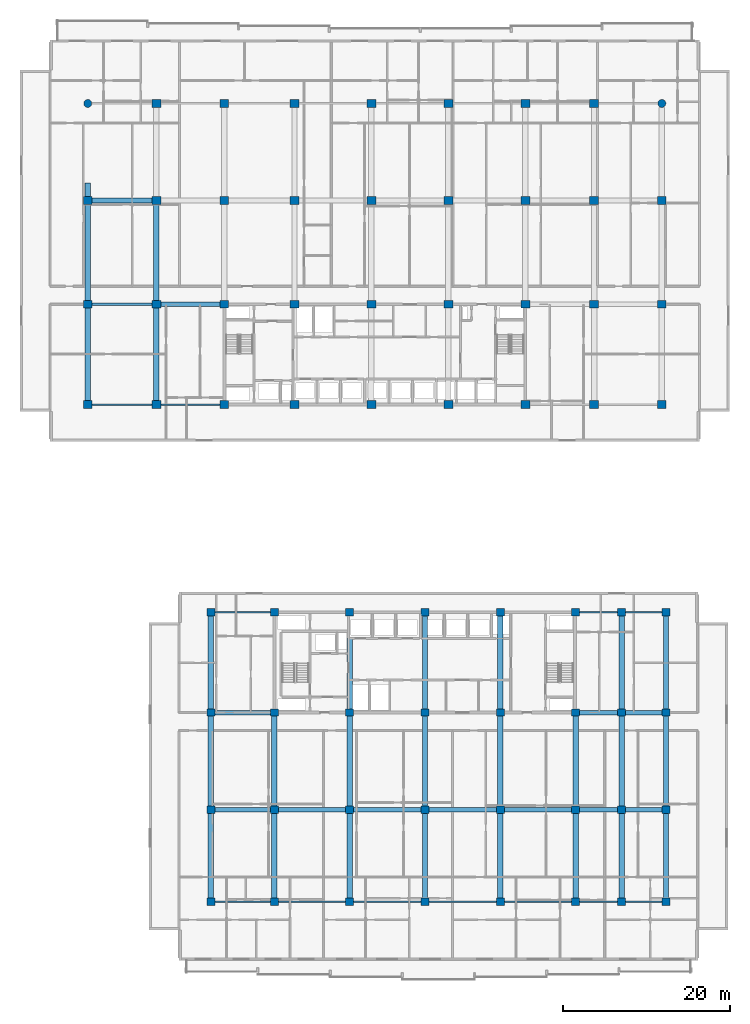
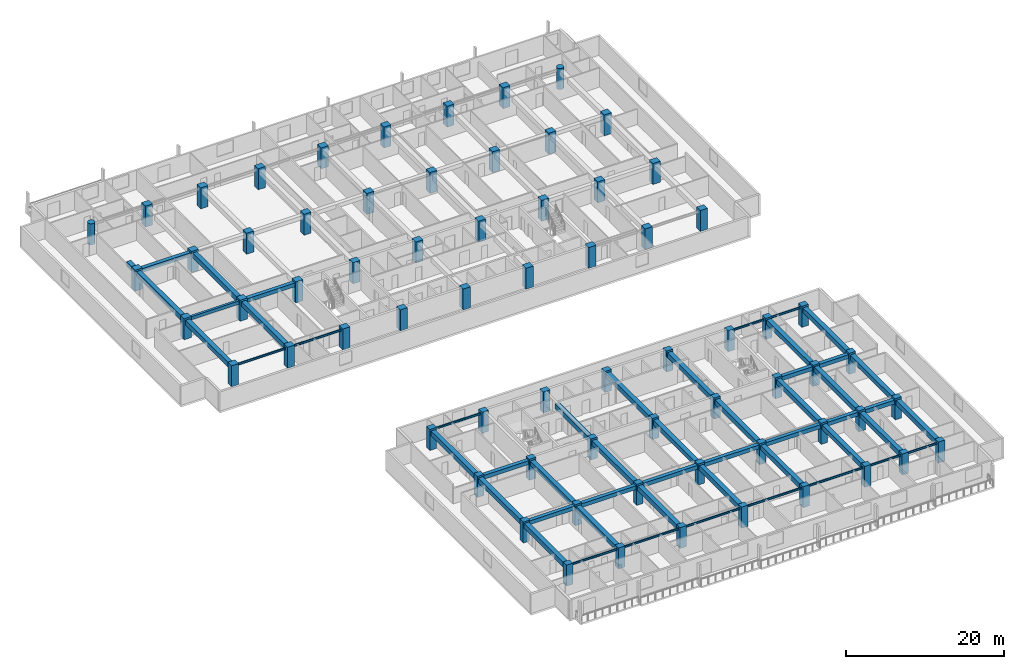
# One storey, part 1 of 24: 68 columns, 52 beams.
"""IFC4 building model written with IfcOpenShell, lengths in metres."""

from ifc_helpers import new_model, si_unit, direction, frame, origin, origin_2d, place, context, subcontext, project, spatial, rectangle, circle, i_section, extrude, material, material_profile, profile_set, type_object, element, save


model = new_model("IFC4")

# Units and contexts
model_context = context("Model", 3, precision=1e-05, world=origin(), true_north=direction((0.0, 1.0)))
body_context = subcontext(model_context, "Body", "Model", "MODEL_VIEW")
ifc_project = project(units=[si_unit("LENGTHUNIT", "METRE"), si_unit("AREAUNIT", "SQUARE_METRE"), si_unit("VOLUMEUNIT", "CUBIC_METRE"), si_unit("PLANEANGLEUNIT", "RADIAN"), si_unit("MASSUNIT", "GRAM", prefix="KILO")], contexts=[model_context])

# Site, building, storey
site_placement = place(None, origin())
site = spatial("IfcSite", under=ifc_project, at=site_placement, CompositionType="ELEMENT")
building_placement = place(site_placement, origin())
building = spatial("IfcBuilding", under=site, at=building_placement, Name="Korimba Cascade Residences", CompositionType="ELEMENT")
storey_placement = place(building_placement, frame((0.0, 0.0, 43.5)))
storey = spatial("IfcBuildingStorey", under=building, at=storey_placement, Name="L11", CompositionType="ELEMENT", Elevation=43.5)

# Columns
ifc_material_1 = material(Name="Concrete C80/95", Category="concrete")
ifc_material_profile_1 = material_profile(ifc_material_1, rectangle(XDim=1.050048828125, YDim=0.949951171875, at=origin_2d()), Name="Concrete C80/95")
ifc_profile_set_1 = profile_set([ifc_material_profile_1], Name="Concrete C80/95")
column_type_1 = type_object("IfcColumnType", Name="COL-RC-1050", PredefinedType="COLUMN", material=ifc_profile_set_1)
for number, where, z_axis, x_axis, name in (
    (1, (59.800048828125, 55.199951171875, 0.0), (0.0, 0.0, 1.0), (1.0, 0.0, 0.0), "L11 Tower 1 Column 1.1"),
    (2, (59.800048828125, 67.199951171875, 0.0), (0.0, 0.0, 1.0), (1.0, 0.0, 0.0), "L11 Tower 1 Column 1.2"),
    (3, (59.800048828125, 79.60009765625, 0.0), (0.0, 0.0, 1.0), (1.0, 0.0, 0.0), "L11 Tower 1 Column 1.3"),
    (4, (68.0, 55.199951171875, 0.0), (0.0, 0.0, 1.0), (1.0, 0.0, 0.0), "L11 Tower 1 Column 2.1"),
    (5, (68.0, 67.199951171875, 0.0), (0.0, 0.0, 1.0), (1.0, 0.0, 0.0), "L11 Tower 1 Column 2.2"),
    (6, (68.0, 79.60009765625, 0.0), (0.0, 0.0, 1.0), (1.0, 0.0, 0.0), "L11 Tower 1 Column 2.3"),
    (7, (68.0, 91.199951171875, 0.0), (0.0, 0.0, 1.0), (1.0, 0.0, 0.0), "L11 Tower 1 Column 2.4"),
    (8, (76.10009765625, 55.199951171875, 0.0), (0.0, 0.0, 1.0), (1.0, 0.0, 0.0), "L11 Tower 1 Column 3.1"),
    (9, (76.10009765625, 67.199951171875, 0.0), (0.0, 0.0, 1.0), (1.0, 0.0, 0.0), "L11 Tower 1 Column 3.2"),
    (10, (76.10009765625, 79.60009765625, 0.0), (0.0, 0.0, 1.0), (1.0, 0.0, 0.0), "L11 Tower 1 Column 3.3"),
    (11, (76.10009765625, 91.199951171875, 0.0), (0.0, 0.0, 1.0), (1.0, 0.0, 0.0), "L11 Tower 1 Column 3.4"),
    (12, (84.5, 55.199951171875, 0.0), (0.0, 0.0, 1.0), (1.0, 0.0, 0.0), "L11 Tower 1 Column 4.1"),
    (13, (84.5, 67.199951171875, 0.0), (0.0, 0.0, 1.0), (1.0, 0.0, 0.0), "L11 Tower 1 Column 4.2"),
    (14, (84.5, 79.60009765625, 0.0), (0.0, 0.0, 1.0), (1.0, 0.0, 0.0), "L11 Tower 1 Column 4.3"),
    (15, (84.5, 91.199951171875, 0.0), (0.0, 0.0, 1.0), (1.0, 0.0, 0.0), "L11 Tower 1 Column 4.4"),
    (16, (93.699951171875, 55.199951171875, 0.0), (0.0, 0.0, 1.0), (1.0, 0.0, 0.0), "L11 Tower 1 Column 5.1"),
    (17, (93.699951171875, 67.199951171875, 0.0), (0.0, 0.0, 1.0), (1.0, 0.0, 0.0), "L11 Tower 1 Column 5.2"),
    (18, (93.699951171875, 79.60009765625, 0.0), (0.0, 0.0, 1.0), (1.0, 0.0, 0.0), "L11 Tower 1 Column 5.3"),
    (19, (93.699951171875, 91.199951171875, 0.0), (0.0, 0.0, 1.0), (1.0, 0.0, 0.0), "L11 Tower 1 Column 5.4"),
    (20, (102.89990234375, 55.199951171875, 0.0), (0.0, 0.0, 1.0), (1.0, 0.0, 0.0), "L11 Tower 1 Column 6.1"),
    (21, (102.89990234375, 67.199951171875, 0.0), (0.0, 0.0, 1.0), (1.0, 0.0, 0.0), "L11 Tower 1 Column 6.2"),
    (22, (102.89990234375, 79.60009765625, 0.0), (0.0, 0.0, 1.0), (1.0, 0.0, 0.0), "L11 Tower 1 Column 6.3"),
    (23, (102.89990234375, 91.199951171875, 0.0), (0.0, 0.0, 1.0), (1.0, 0.0, 0.0), "L11 Tower 1 Column 6.4"),
    (24, (112.10009765625, 55.199951171875, 0.0), (0.0, 0.0, 1.0), (1.0, 0.0, 0.0), "L11 Tower 1 Column 7.1"),
    (25, (112.10009765625, 67.199951171875, 0.0), (0.0, 0.0, 1.0), (1.0, 0.0, 0.0), "L11 Tower 1 Column 7.2"),
    (26, (112.10009765625, 79.60009765625, 0.0), (0.0, 0.0, 1.0), (1.0, 0.0, 0.0), "L11 Tower 1 Column 7.3"),
    (27, (112.10009765625, 91.199951171875, 0.0), (0.0, 0.0, 1.0), (1.0, 0.0, 0.0), "L11 Tower 1 Column 7.4"),
    (28, (120.300048828125, 55.199951171875, 0.0), (0.0, 0.0, 1.0), (1.0, 0.0, 0.0), "L11 Tower 1 Column 8.1"),
    (29, (120.300048828125, 67.199951171875, 0.0), (0.0, 0.0, 1.0), (1.0, 0.0, 0.0), "L11 Tower 1 Column 8.2"),
    (30, (120.300048828125, 79.60009765625, 0.0), (0.0, 0.0, 1.0), (1.0, 0.0, 0.0), "L11 Tower 1 Column 8.3"),
    (31, (120.300048828125, 91.199951171875, 0.0), (0.0, 0.0, 1.0), (1.0, 0.0, 0.0), "L11 Tower 1 Column 8.4"),
    (32, (128.39990234375, 55.199951171875, 0.0), (0.0, 0.0, 1.0), (1.0, 0.0, 0.0), "L11 Tower 1 Column 9.1"),
    (33, (128.39990234375, 67.199951171875, 0.0), (0.0, 0.0, 1.0), (1.0, 0.0, 0.0), "L11 Tower 1 Column 9.2"),
    (34, (128.39990234375, 79.60009765625, 0.0), (0.0, 0.0, 1.0), (1.0, 0.0, 0.0), "L11 Tower 1 Column 9.3"),
):
    element("IfcColumn", number, at=place(storey_placement, frame(where, z_axis=z_axis, x_axis=x_axis)), inside=storey, type_object=column_type_1, Name=name, PredefinedType="COLUMN", context=body_context, shape_type="SweptSolid", body=[
        extrude(rectangle(XDim=1.050048828125, YDim=0.949951171875, at=origin_2d()), origin(), (0.0, 0.0, 1.0), 3.25),
    ])
ifc_material_2 = material(Name="Concrete C65/80", Category="concrete")
ifc_material_profile_2 = material_profile(ifc_material_2, rectangle(XDim=0.949951171875, YDim=0.85009765625, at=origin_2d()), Name="Concrete C65/80")
ifc_profile_set_2 = profile_set([ifc_material_profile_2], Name="Concrete C65/80")
column_type_2 = type_object("IfcColumnType", Name="COL-RC-950", PredefinedType="COLUMN", material=ifc_profile_set_2)
for number, where, z_axis, x_axis, name in (
    (35, (74.5, -4.199951171875, 0.0), (0.0, 0.0, 1.0), (1.0, 0.0, 0.0), "L11 Tower 2 Column 1.1"),
    (36, (74.5, 6.800048828125, 0.0), (0.0, 0.0, 1.0), (1.0, 0.0, 0.0), "L11 Tower 2 Column 1.2"),
    (37, (74.5, 18.39990234375, 0.0), (0.0, 0.0, 1.0), (1.0, 0.0, 0.0), "L11 Tower 2 Column 1.3"),
    (38, (74.5, 30.39990234375, 0.0), (0.0, 0.0, 1.0), (1.0, 0.0, 0.0), "L11 Tower 2 Column 1.4"),
    (39, (82.10009765625, -4.199951171875, 0.0), (0.0, 0.0, 1.0), (1.0, 0.0, 0.0), "L11 Tower 2 Column 2.1"),
    (40, (82.10009765625, 6.800048828125, 0.0), (0.0, 0.0, 1.0), (1.0, 0.0, 0.0), "L11 Tower 2 Column 2.2"),
    (41, (82.10009765625, 18.39990234375, 0.0), (0.0, 0.0, 1.0), (1.0, 0.0, 0.0), "L11 Tower 2 Column 2.3"),
    (42, (82.10009765625, 30.39990234375, 0.0), (0.0, 0.0, 1.0), (1.0, 0.0, 0.0), "L11 Tower 2 Column 2.4"),
    (43, (91.10009765625, -4.199951171875, 0.0), (0.0, 0.0, 1.0), (1.0, 0.0, 0.0), "L11 Tower 2 Column 3.1"),
    (44, (91.10009765625, 6.800048828125, 0.0), (0.0, 0.0, 1.0), (1.0, 0.0, 0.0), "L11 Tower 2 Column 3.2"),
    (45, (91.10009765625, 18.39990234375, 0.0), (0.0, 0.0, 1.0), (1.0, 0.0, 0.0), "L11 Tower 2 Column 3.3"),
    (46, (91.10009765625, 30.39990234375, 0.0), (0.0, 0.0, 1.0), (1.0, 0.0, 0.0), "L11 Tower 2 Column 3.4"),
    (47, (100.10009765625, -4.199951171875, 0.0), (0.0, 0.0, 1.0), (1.0, 0.0, 0.0), "L11 Tower 2 Column 4.1"),
    (48, (100.10009765625, 6.800048828125, 0.0), (0.0, 0.0, 1.0), (1.0, 0.0, 0.0), "L11 Tower 2 Column 4.2"),
    (49, (100.10009765625, 18.39990234375, 0.0), (0.0, 0.0, 1.0), (1.0, 0.0, 0.0), "L11 Tower 2 Column 4.3"),
    (50, (100.10009765625, 30.39990234375, 0.0), (0.0, 0.0, 1.0), (1.0, 0.0, 0.0), "L11 Tower 2 Column 4.4"),
    (51, (109.10009765625, -4.199951171875, 0.0), (0.0, 0.0, 1.0), (1.0, 0.0, 0.0), "L11 Tower 2 Column 5.1"),
    (52, (109.10009765625, 6.800048828125, 0.0), (0.0, 0.0, 1.0), (1.0, 0.0, 0.0), "L11 Tower 2 Column 5.2"),
    (53, (109.10009765625, 18.39990234375, 0.0), (0.0, 0.0, 1.0), (1.0, 0.0, 0.0), "L11 Tower 2 Column 5.3"),
    (54, (109.10009765625, 30.39990234375, 0.0), (0.0, 0.0, 1.0), (1.0, 0.0, 0.0), "L11 Tower 2 Column 5.4"),
    (55, (118.10009765625, -4.199951171875, 0.0), (0.0, 0.0, 1.0), (1.0, 0.0, 0.0), "L11 Tower 2 Column 6.1"),
    (56, (118.10009765625, 6.800048828125, 0.0), (0.0, 0.0, 1.0), (1.0, 0.0, 0.0), "L11 Tower 2 Column 6.2"),
    (57, (118.10009765625, 18.39990234375, 0.0), (0.0, 0.0, 1.0), (1.0, 0.0, 0.0), "L11 Tower 2 Column 6.3"),
    (58, (118.10009765625, 30.39990234375, 0.0), (0.0, 0.0, 1.0), (1.0, 0.0, 0.0), "L11 Tower 2 Column 6.4"),
    (59, (123.60009765625, -4.199951171875, 0.0), (0.0, 0.0, 1.0), (1.0, 0.0, 0.0), "L11 Tower 2 Column 7.1"),
    (60, (123.60009765625, 6.800048828125, 0.0), (0.0, 0.0, 1.0), (1.0, 0.0, 0.0), "L11 Tower 2 Column 7.2"),
    (61, (123.60009765625, 18.39990234375, 0.0), (0.0, 0.0, 1.0), (1.0, 0.0, 0.0), "L11 Tower 2 Column 7.3"),
    (62, (123.60009765625, 30.39990234375, 0.0), (0.0, 0.0, 1.0), (1.0, 0.0, 0.0), "L11 Tower 2 Column 7.4"),
    (63, (128.89990234375, -4.199951171875, 0.0), (0.0, 0.0, 1.0), (1.0, 0.0, 0.0), "L11 Tower 2 Column 8.1"),
    (64, (128.89990234375, 6.800048828125, 0.0), (0.0, 0.0, 1.0), (1.0, 0.0, 0.0), "L11 Tower 2 Column 8.2"),
    (65, (128.89990234375, 18.39990234375, 0.0), (0.0, 0.0, 1.0), (1.0, 0.0, 0.0), "L11 Tower 2 Column 8.3"),
    (66, (128.89990234375, 30.39990234375, 0.0), (0.0, 0.0, 1.0), (1.0, 0.0, 0.0), "L11 Tower 2 Column 8.4"),
):
    element("IfcColumn", number, at=place(storey_placement, frame(where, z_axis=z_axis, x_axis=x_axis)), inside=storey, type_object=column_type_2, Name=name, PredefinedType="COLUMN", context=body_context, shape_type="SweptSolid", body=[
        extrude(rectangle(XDim=0.949951171875, YDim=0.85009765625, at=origin_2d()), origin(), (0.0, 0.0, 1.0), 3.25),
    ])
ifc_material_profile_3 = material_profile(ifc_material_1, circle(Radius=0.47509765625, at=origin_2d()), Name="Concrete C80/95")
ifc_profile_set_3 = profile_set([ifc_material_profile_3], Name="Concrete C80/95")
column_type_3 = type_object("IfcColumnType", Name="COL-RC-D950", PredefinedType="COLUMN", material=ifc_profile_set_3)
for number, where, z_axis, x_axis, name in (
    (67, (59.800048828125, 91.199951171875, 0.0), (0.0, 0.0, 1.0), (1.0, 0.0, 0.0), "L11 Tower 1 Column 1.4"),
    (68, (128.39990234375, 91.199951171875, 0.0), (0.0, 0.0, 1.0), (1.0, 0.0, 0.0), "L11 Tower 1 Column 9.4"),
):
    element("IfcColumn", number, at=place(storey_placement, frame(where, z_axis=z_axis, x_axis=x_axis)), inside=storey, type_object=column_type_3, Name=name, PredefinedType="COLUMN", context=body_context, shape_type="SweptSolid", body=[
        extrude(circle(Radius=0.47509765625, at=origin_2d()), origin(), (0.0, 0.0, 1.0), 3.25),
    ])

# Beams
ifc_material_3 = material(Name="Concrete C50/60", Category="concrete")
ifc_material_profile_4 = material_profile(ifc_material_3, rectangle(XDim=0.550048828125, YDim=0.60009765625, at=origin_2d()), Name="Concrete C50/60")
ifc_profile_set_4 = profile_set([ifc_material_profile_4], Name="Concrete C50/60")
beam_type_1 = type_object("IfcBeamType", Name="BM-RC-B600", PredefinedType="BEAM", material=ifc_profile_set_4)
beam_1_placement = place(storey_placement, frame((68.52490234375, 67.199951171875, 2.669921875), z_axis=(1.0, 0.0, 0.0), x_axis=(0.0, 1.0, 0.0)))
element("IfcBeam", 69, at=beam_1_placement, inside=storey, type_object=beam_type_1, Name="L11 T1 E-W Girder Y2 Bay 2", PredefinedType="BEAM", context=body_context, shape_type="SweptSolid", body=[
    extrude(rectangle(XDim=0.550048828125, YDim=0.60009765625, at=origin_2d()), origin(), (0.0, 0.0, 1.0), 7.050048828125),
])
beam_2_placement = place(storey_placement, frame((60.324951171875, 79.60009765625, 2.669921875), z_axis=(1.0, 0.0, 0.0), x_axis=(0.0, 1.0, 0.0)))
element("IfcBeam", 70, at=beam_2_placement, inside=storey, type_object=beam_type_1, Name="L11 T1 E-W Girder Y3 Bay 1", PredefinedType="BEAM", context=body_context, shape_type="SweptSolid", body=[
    extrude(rectangle(XDim=0.550048828125, YDim=0.60009765625, at=origin_2d()), origin(), (0.0, 0.0, 1.0), 7.150146484375),
])
beam_3_placement = place(storey_placement, frame((74.97509765625, 6.800048828125, 2.669921875), z_axis=(1.0, 0.0, 0.0), x_axis=(0.0, 1.0, 0.0)))
element("IfcBeam", 71, at=beam_3_placement, inside=storey, type_object=beam_type_1, Name="L11 T2 E-W Girder Y2 Bay 1", PredefinedType="BEAM", context=body_context, shape_type="SweptSolid", body=[
    extrude(rectangle(XDim=0.550048828125, YDim=0.60009765625, at=origin_2d()), origin(), (0.0, 0.0, 1.0), 6.64990234375),
])
for number, where, z_axis, x_axis, name in (
    (72, (82.574951171875, 6.800048828125, 2.669921875), (1.0, 0.0, 0.0), (0.0, 1.0, 0.0), "L11 T2 E-W Girder Y2 Bay 2"),
    (73, (91.574951171875, 6.800048828125, 2.669921875), (1.0, 0.0, 0.0), (0.0, 1.0, 0.0), "L11 T2 E-W Girder Y2 Bay 3"),
    (74, (100.574951171875, 6.800048828125, 2.669921875), (1.0, 0.0, 0.0), (0.0, 1.0, 0.0), "L11 T2 E-W Girder Y2 Bay 4"),
    (75, (109.574951171875, 6.800048828125, 2.669921875), (1.0, 0.0, 0.0), (0.0, 1.0, 0.0), "L11 T2 E-W Girder Y2 Bay 5"),
):
    element("IfcBeam", number, at=place(storey_placement, frame(where, z_axis=z_axis, x_axis=x_axis)), inside=storey, type_object=beam_type_1, Name=name, PredefinedType="BEAM", context=body_context, shape_type="SweptSolid", body=[
        extrude(rectangle(XDim=0.550048828125, YDim=0.60009765625, at=origin_2d()), origin(), (0.0, 0.0, 1.0), 8.050048828125),
    ])
beam_4_placement = place(storey_placement, frame((118.574951171875, 6.800048828125, 2.669921875), z_axis=(1.0, 0.0, 0.0), x_axis=(0.0, 1.0, 0.0)))
element("IfcBeam", 76, at=beam_4_placement, inside=storey, type_object=beam_type_1, Name="L11 T2 E-W Girder Y2 Bay 6", PredefinedType="BEAM", context=body_context, shape_type="SweptSolid", body=[
    extrude(rectangle(XDim=0.550048828125, YDim=0.60009765625, at=origin_2d()), origin(), (0.0, 0.0, 1.0), 4.550048828125),
])
beam_5_placement = place(storey_placement, frame((124.074951171875, 6.800048828125, 2.669921875), z_axis=(1.0, 0.0, 0.0), x_axis=(0.0, 1.0, 0.0)))
element("IfcBeam", 77, at=beam_5_placement, inside=storey, type_object=beam_type_1, Name="L11 T2 E-W Girder Y2 Bay 7", PredefinedType="BEAM", context=body_context, shape_type="SweptSolid", body=[
    extrude(rectangle(XDim=0.550048828125, YDim=0.60009765625, at=origin_2d()), origin(), (0.0, 0.0, 1.0), 4.35009765625),
])
beam_6_placement = place(storey_placement, frame((74.97509765625, 18.39990234375, 2.669921875), z_axis=(1.0, 0.0, 0.0), x_axis=(0.0, 1.0, 0.0)))
element("IfcBeam", 78, at=beam_6_placement, inside=storey, type_object=beam_type_1, Name="L11 T2 E-W Girder Y3 Bay 1", PredefinedType="BEAM", context=body_context, shape_type="SweptSolid", body=[
    extrude(rectangle(XDim=0.550048828125, YDim=0.60009765625, at=origin_2d()), origin(), (0.0, 0.0, 1.0), 6.64990234375),
])
beam_7_placement = place(storey_placement, frame((118.574951171875, 18.39990234375, 2.669921875), z_axis=(1.0, 0.0, 0.0), x_axis=(0.0, 1.0, 0.0)))
element("IfcBeam", 79, at=beam_7_placement, inside=storey, type_object=beam_type_1, Name="L11 T2 E-W Girder Y3 Bay 6", PredefinedType="BEAM", context=body_context, shape_type="SweptSolid", body=[
    extrude(rectangle(XDim=0.550048828125, YDim=0.60009765625, at=origin_2d()), origin(), (0.0, 0.0, 1.0), 4.550048828125),
])
beam_8_placement = place(storey_placement, frame((124.074951171875, 18.39990234375, 2.669921875), z_axis=(1.0, 0.0, 0.0), x_axis=(0.0, 1.0, 0.0)))
element("IfcBeam", 80, at=beam_8_placement, inside=storey, type_object=beam_type_1, Name="L11 T2 E-W Girder Y3 Bay 7", PredefinedType="BEAM", context=body_context, shape_type="SweptSolid", body=[
    extrude(rectangle(XDim=0.550048828125, YDim=0.60009765625, at=origin_2d()), origin(), (0.0, 0.0, 1.0), 4.35009765625),
])
ifc_material_profile_5 = material_profile(ifc_material_3, rectangle(XDim=0.64990234375, YDim=0.75, at=origin_2d()), Name="Concrete C50/60")
ifc_profile_set_5 = profile_set([ifc_material_profile_5], Name="Concrete C50/60")
beam_type_2 = type_object("IfcBeamType", Name="BM-RC-G750", PredefinedType="BEAM", material=ifc_profile_set_5)
beam_9_placement = place(storey_placement, frame((59.800048828125, 55.675048828125, 2.594970703125), z_axis=(0.0, 1.0, 0.0), x_axis=(-1.0, 0.0, 0.0)))
element("IfcBeam", 81, at=beam_9_placement, inside=storey, type_object=beam_type_2, Name="L11 T1 N-S Girder X1 Seg 1", PredefinedType="BEAM", context=body_context, shape_type="SweptSolid", body=[
    extrude(rectangle(XDim=0.64990234375, YDim=0.75, at=origin_2d()), origin(), (0.0, 0.0, 1.0), 11.050048828125),
])
beam_10_placement = place(storey_placement, frame((59.800048828125, 67.675048828125, 2.594970703125), z_axis=(0.0, 1.0, 0.0), x_axis=(-1.0, 0.0, 0.0)))
element("IfcBeam", 82, at=beam_10_placement, inside=storey, type_object=beam_type_2, Name="L11 T1 N-S Girder X1 Seg 2", PredefinedType="BEAM", context=body_context, shape_type="SweptSolid", body=[
    extrude(rectangle(XDim=0.64990234375, YDim=0.75, at=origin_2d()), origin(), (0.0, 0.0, 1.0), 11.449951171875),
])
beam_11_placement = place(storey_placement, frame((59.800048828125, 80.074951171875, 2.594970703125), z_axis=(0.0, 1.0, 0.0), x_axis=(-1.0, 0.0, 0.0)))
element("IfcBeam", 83, at=beam_11_placement, inside=storey, type_object=beam_type_2, Name="L11 T1 N-S Girder X1 Seg 3", PredefinedType="BEAM", context=body_context, shape_type="SweptSolid", body=[
    extrude(rectangle(XDim=0.64990234375, YDim=0.75, at=origin_2d()), origin(), (0.0, 0.0, 1.0), 1.625),
])
beam_12_placement = place(storey_placement, frame((68.0, 55.675048828125, 2.594970703125), z_axis=(0.0, 1.0, 0.0), x_axis=(-1.0, 0.0, 0.0)))
element("IfcBeam", 84, at=beam_12_placement, inside=storey, type_object=beam_type_2, Name="L11 T1 N-S Girder X2 Seg 1", PredefinedType="BEAM", context=body_context, shape_type="SweptSolid", body=[
    extrude(rectangle(XDim=0.64990234375, YDim=0.75, at=origin_2d()), origin(), (0.0, 0.0, 1.0), 11.050048828125),
])
beam_13_placement = place(storey_placement, frame((68.0, 67.675048828125, 2.594970703125), z_axis=(0.0, 1.0, 0.0), x_axis=(-1.0, 0.0, 0.0)))
element("IfcBeam", 85, at=beam_13_placement, inside=storey, type_object=beam_type_2, Name="L11 T1 N-S Girder X2 Seg 2", PredefinedType="BEAM", context=body_context, shape_type="SweptSolid", body=[
    extrude(rectangle(XDim=0.64990234375, YDim=0.75, at=origin_2d()), origin(), (0.0, 0.0, 1.0), 11.449951171875),
])
beam_14_placement = place(storey_placement, frame((74.5, -3.77490234375, 2.594970703125), z_axis=(0.0, 1.0, 0.0), x_axis=(-1.0, 0.0, 0.0)))
element("IfcBeam", 86, at=beam_14_placement, inside=storey, type_object=beam_type_2, Name="L11 T2 N-S Girder X1 Seg 1", PredefinedType="BEAM", context=body_context, shape_type="SweptSolid", body=[
    extrude(rectangle(XDim=0.64990234375, YDim=0.75, at=origin_2d()), origin(), (0.0, 0.0, 1.0), 10.14990234375),
])
beam_15_placement = place(storey_placement, frame((74.5, 7.22509765625, 2.594970703125), z_axis=(0.0, 1.0, 0.0), x_axis=(-1.0, 0.0, 0.0)))
element("IfcBeam", 87, at=beam_15_placement, inside=storey, type_object=beam_type_2, Name="L11 T2 N-S Girder X1 Seg 2", PredefinedType="BEAM", context=body_context, shape_type="SweptSolid", body=[
    extrude(rectangle(XDim=0.64990234375, YDim=0.75, at=origin_2d()), origin(), (0.0, 0.0, 1.0), 10.75),
])
beam_16_placement = place(storey_placement, frame((74.5, 18.824951171875, 2.594970703125), z_axis=(0.0, 1.0, 0.0), x_axis=(-1.0, 0.0, 0.0)))
element("IfcBeam", 88, at=beam_16_placement, inside=storey, type_object=beam_type_2, Name="L11 T2 N-S Girder X1 Seg 3", PredefinedType="BEAM", context=body_context, shape_type="SweptSolid", body=[
    extrude(rectangle(XDim=0.64990234375, YDim=0.75, at=origin_2d()), origin(), (0.0, 0.0, 1.0), 11.150146484375),
])
beam_17_placement = place(storey_placement, frame((82.10009765625, -3.77490234375, 2.594970703125), z_axis=(0.0, 1.0, 0.0), x_axis=(-1.0, 0.0, 0.0)))
element("IfcBeam", 89, at=beam_17_placement, inside=storey, type_object=beam_type_2, Name="L11 T2 N-S Girder X2 Seg 1", PredefinedType="BEAM", context=body_context, shape_type="SweptSolid", body=[
    extrude(rectangle(XDim=0.64990234375, YDim=0.75, at=origin_2d()), origin(), (0.0, 0.0, 1.0), 10.14990234375),
])
beam_18_placement = place(storey_placement, frame((82.10009765625, 7.22509765625, 2.594970703125), z_axis=(0.0, 1.0, 0.0), x_axis=(-1.0, 0.0, 0.0)))
element("IfcBeam", 90, at=beam_18_placement, inside=storey, type_object=beam_type_2, Name="L11 T2 N-S Girder X2 Seg 2", PredefinedType="BEAM", context=body_context, shape_type="SweptSolid", body=[
    extrude(rectangle(XDim=0.64990234375, YDim=0.75, at=origin_2d()), origin(), (0.0, 0.0, 1.0), 10.75),
])
beam_19_placement = place(storey_placement, frame((91.10009765625, -3.77490234375, 2.594970703125), z_axis=(0.0, 1.0, 0.0), x_axis=(-1.0, 0.0, 0.0)))
element("IfcBeam", 91, at=beam_19_placement, inside=storey, type_object=beam_type_2, Name="L11 T2 N-S Girder X3 Seg 1", PredefinedType="BEAM", context=body_context, shape_type="SweptSolid", body=[
    extrude(rectangle(XDim=0.64990234375, YDim=0.75, at=origin_2d()), origin(), (0.0, 0.0, 1.0), 10.14990234375),
])
beam_20_placement = place(storey_placement, frame((91.10009765625, 7.22509765625, 2.594970703125), z_axis=(0.0, 1.0, 0.0), x_axis=(-1.0, 0.0, 0.0)))
element("IfcBeam", 92, at=beam_20_placement, inside=storey, type_object=beam_type_2, Name="L11 T2 N-S Girder X3 Seg 2", PredefinedType="BEAM", context=body_context, shape_type="SweptSolid", body=[
    extrude(rectangle(XDim=0.64990234375, YDim=0.75, at=origin_2d()), origin(), (0.0, 0.0, 1.0), 10.75),
])
beam_21_placement = place(storey_placement, frame((91.10009765625, 18.824951171875, 2.594970703125), z_axis=(0.0, 1.0, 0.0), x_axis=(-1.0, 0.0, 0.0)))
element("IfcBeam", 93, at=beam_21_placement, inside=storey, type_object=beam_type_2, Name="L11 T2 N-S Girder X3 Seg 3", PredefinedType="BEAM", context=body_context, shape_type="SweptSolid", body=[
    extrude(rectangle(XDim=0.64990234375, YDim=0.75, at=origin_2d()), origin(), (0.0, 0.0, 1.0), 8.51513671875),
])
beam_22_placement = place(storey_placement, frame((100.10009765625, -3.77490234375, 2.594970703125), z_axis=(0.0, 1.0, 0.0), x_axis=(-1.0, 0.0, 0.0)))
element("IfcBeam", 94, at=beam_22_placement, inside=storey, type_object=beam_type_2, Name="L11 T2 N-S Girder X4 Seg 1", PredefinedType="BEAM", context=body_context, shape_type="SweptSolid", body=[
    extrude(rectangle(XDim=0.64990234375, YDim=0.75, at=origin_2d()), origin(), (0.0, 0.0, 1.0), 10.14990234375),
])
beam_23_placement = place(storey_placement, frame((100.10009765625, 7.22509765625, 2.594970703125), z_axis=(0.0, 1.0, 0.0), x_axis=(-1.0, 0.0, 0.0)))
element("IfcBeam", 95, at=beam_23_placement, inside=storey, type_object=beam_type_2, Name="L11 T2 N-S Girder X4 Seg 2", PredefinedType="BEAM", context=body_context, shape_type="SweptSolid", body=[
    extrude(rectangle(XDim=0.64990234375, YDim=0.75, at=origin_2d()), origin(), (0.0, 0.0, 1.0), 10.75),
])
beam_24_placement = place(storey_placement, frame((100.10009765625, 18.824951171875, 2.594970703125), z_axis=(0.0, 1.0, 0.0), x_axis=(-1.0, 0.0, 0.0)))
element("IfcBeam", 96, at=beam_24_placement, inside=storey, type_object=beam_type_2, Name="L11 T2 N-S Girder X4 Seg 3", PredefinedType="BEAM", context=body_context, shape_type="SweptSolid", body=[
    extrude(rectangle(XDim=0.64990234375, YDim=0.75, at=origin_2d()), origin(), (0.0, 0.0, 1.0), 11.150146484375),
])
beam_25_placement = place(storey_placement, frame((109.10009765625, -3.77490234375, 2.594970703125), z_axis=(0.0, 1.0, 0.0), x_axis=(-1.0, 0.0, 0.0)))
element("IfcBeam", 97, at=beam_25_placement, inside=storey, type_object=beam_type_2, Name="L11 T2 N-S Girder X5 Seg 1", PredefinedType="BEAM", context=body_context, shape_type="SweptSolid", body=[
    extrude(rectangle(XDim=0.64990234375, YDim=0.75, at=origin_2d()), origin(), (0.0, 0.0, 1.0), 10.14990234375),
])
beam_26_placement = place(storey_placement, frame((109.10009765625, 7.22509765625, 2.594970703125), z_axis=(0.0, 1.0, 0.0), x_axis=(-1.0, 0.0, 0.0)))
element("IfcBeam", 98, at=beam_26_placement, inside=storey, type_object=beam_type_2, Name="L11 T2 N-S Girder X5 Seg 2", PredefinedType="BEAM", context=body_context, shape_type="SweptSolid", body=[
    extrude(rectangle(XDim=0.64990234375, YDim=0.75, at=origin_2d()), origin(), (0.0, 0.0, 1.0), 10.75),
])
beam_27_placement = place(storey_placement, frame((109.10009765625, 18.824951171875, 2.594970703125), z_axis=(0.0, 1.0, 0.0), x_axis=(-1.0, 0.0, 0.0)))
element("IfcBeam", 99, at=beam_27_placement, inside=storey, type_object=beam_type_2, Name="L11 T2 N-S Girder X5 Seg 3", PredefinedType="BEAM", context=body_context, shape_type="SweptSolid", body=[
    extrude(rectangle(XDim=0.64990234375, YDim=0.75, at=origin_2d()), origin(), (0.0, 0.0, 1.0), 11.150146484375),
])
beam_28_placement = place(storey_placement, frame((118.10009765625, -3.77490234375, 2.594970703125), z_axis=(0.0, 1.0, 0.0), x_axis=(-1.0, 0.0, 0.0)))
element("IfcBeam", 100, at=beam_28_placement, inside=storey, type_object=beam_type_2, Name="L11 T2 N-S Girder X6 Seg 1", PredefinedType="BEAM", context=body_context, shape_type="SweptSolid", body=[
    extrude(rectangle(XDim=0.64990234375, YDim=0.75, at=origin_2d()), origin(), (0.0, 0.0, 1.0), 10.14990234375),
])
beam_29_placement = place(storey_placement, frame((118.10009765625, 7.22509765625, 2.594970703125), z_axis=(0.0, 1.0, 0.0), x_axis=(-1.0, 0.0, 0.0)))
element("IfcBeam", 101, at=beam_29_placement, inside=storey, type_object=beam_type_2, Name="L11 T2 N-S Girder X6 Seg 2", PredefinedType="BEAM", context=body_context, shape_type="SweptSolid", body=[
    extrude(rectangle(XDim=0.64990234375, YDim=0.75, at=origin_2d()), origin(), (0.0, 0.0, 1.0), 10.75),
])
beam_30_placement = place(storey_placement, frame((123.60009765625, -3.77490234375, 2.594970703125), z_axis=(0.0, 1.0, 0.0), x_axis=(-1.0, 0.0, 0.0)))
element("IfcBeam", 102, at=beam_30_placement, inside=storey, type_object=beam_type_2, Name="L11 T2 N-S Girder X7 Seg 1", PredefinedType="BEAM", context=body_context, shape_type="SweptSolid", body=[
    extrude(rectangle(XDim=0.64990234375, YDim=0.75, at=origin_2d()), origin(), (0.0, 0.0, 1.0), 10.14990234375),
])
beam_31_placement = place(storey_placement, frame((123.60009765625, 7.22509765625, 2.594970703125), z_axis=(0.0, 1.0, 0.0), x_axis=(-1.0, 0.0, 0.0)))
element("IfcBeam", 103, at=beam_31_placement, inside=storey, type_object=beam_type_2, Name="L11 T2 N-S Girder X7 Seg 2", PredefinedType="BEAM", context=body_context, shape_type="SweptSolid", body=[
    extrude(rectangle(XDim=0.64990234375, YDim=0.75, at=origin_2d()), origin(), (0.0, 0.0, 1.0), 10.75),
])
beam_32_placement = place(storey_placement, frame((123.60009765625, 18.824951171875, 2.594970703125), z_axis=(0.0, 1.0, 0.0), x_axis=(-1.0, 0.0, 0.0)))
element("IfcBeam", 104, at=beam_32_placement, inside=storey, type_object=beam_type_2, Name="L11 T2 N-S Girder X7 Seg 3", PredefinedType="BEAM", context=body_context, shape_type="SweptSolid", body=[
    extrude(rectangle(XDim=0.64990234375, YDim=0.75, at=origin_2d()), origin(), (0.0, 0.0, 1.0), 11.150146484375),
])
beam_33_placement = place(storey_placement, frame((128.89990234375, -3.77490234375, 2.594970703125), z_axis=(0.0, 1.0, 0.0), x_axis=(-1.0, 0.0, 0.0)))
element("IfcBeam", 105, at=beam_33_placement, inside=storey, type_object=beam_type_2, Name="L11 T2 N-S Girder X8 Seg 1", PredefinedType="BEAM", context=body_context, shape_type="SweptSolid", body=[
    extrude(rectangle(XDim=0.64990234375, YDim=0.75, at=origin_2d()), origin(), (0.0, 0.0, 1.0), 10.14990234375),
])
beam_34_placement = place(storey_placement, frame((128.89990234375, 7.22509765625, 2.594970703125), z_axis=(0.0, 1.0, 0.0), x_axis=(-1.0, 0.0, 0.0)))
element("IfcBeam", 106, at=beam_34_placement, inside=storey, type_object=beam_type_2, Name="L11 T2 N-S Girder X8 Seg 2", PredefinedType="BEAM", context=body_context, shape_type="SweptSolid", body=[
    extrude(rectangle(XDim=0.64990234375, YDim=0.75, at=origin_2d()), origin(), (0.0, 0.0, 1.0), 10.75),
])
beam_35_placement = place(storey_placement, frame((128.89990234375, 18.824951171875, 2.594970703125), z_axis=(0.0, 1.0, 0.0), x_axis=(-1.0, 0.0, 0.0)))
element("IfcBeam", 107, at=beam_35_placement, inside=storey, type_object=beam_type_2, Name="L11 T2 N-S Girder X8 Seg 3", PredefinedType="BEAM", context=body_context, shape_type="SweptSolid", body=[
    extrude(rectangle(XDim=0.64990234375, YDim=0.75, at=origin_2d()), origin(), (0.0, 0.0, 1.0), 11.150146484375),
])
ifc_material_profile_6 = material_profile(ifc_material_3, rectangle(XDim=0.35009765625, YDim=0.5, at=origin_2d()), Name="Concrete C50/60")
ifc_profile_set_6 = profile_set([ifc_material_profile_6], Name="Concrete C50/60")
beam_type_3 = type_object("IfcBeamType", Name="BM-RC-LN500", PredefinedType="LINTEL", material=ifc_profile_set_6)
beam_36_placement = place(storey_placement, frame((60.324951171875, 67.199951171875, 2.719970703125), z_axis=(1.0, 0.0, 0.0), x_axis=(0.0, 1.0, 0.0)))
element("IfcBeam", 108, at=beam_36_placement, inside=storey, type_object=beam_type_3, Name="L11 T1 E-W Girder Y2 Bay 1", PredefinedType="LINTEL", context=body_context, shape_type="SweptSolid", body=[
    extrude(rectangle(XDim=0.35009765625, YDim=0.5, at=origin_2d()), origin(), (0.0, 0.0, 1.0), 7.150146484375),
])
ifc_material_4 = material(Name="Steel S355", Category="steel")
ifc_material_profile_7 = material_profile(ifc_material_4, i_section(OverallWidth=0.165771484375, OverallDepth=0.306640625, WebThickness=0.006591796875, FlangeThickness=0.01171875, FilletRadius=0.0087890625, at=origin_2d()), Name="Steel S355")
ifc_profile_set_7 = profile_set([ifc_material_profile_7], Name="Steel S355")
beam_type_4 = type_object("IfcBeamType", Name="BM-STL-UB305", PredefinedType="SPANDREL", material=ifc_profile_set_7)
beam_37_placement = place(storey_placement, frame((60.324951171875, 55.199951171875, 2.816650390625), z_axis=(1.0, 0.0, 0.0), x_axis=(0.0, 1.0, 0.0)))
element("IfcBeam", 109, at=beam_37_placement, inside=storey, type_object=beam_type_4, Name="L11 T1 E-W Girder Y1 Bay 1", PredefinedType="SPANDREL", context=body_context, shape_type="SweptSolid", body=[
    extrude(i_section(OverallWidth=0.165771484375, OverallDepth=0.306640625, WebThickness=0.006591796875, FlangeThickness=0.01171875, FilletRadius=0.0087890625, at=origin_2d()), origin(), (0.0, 0.0, 1.0), 7.150146484375),
])
beam_38_placement = place(storey_placement, frame((68.52490234375, 55.199951171875, 2.816650390625), z_axis=(1.0, 0.0, 0.0), x_axis=(0.0, 1.0, 0.0)))
element("IfcBeam", 110, at=beam_38_placement, inside=storey, type_object=beam_type_4, Name="L11 T1 E-W Girder Y1 Bay 2", PredefinedType="SPANDREL", context=body_context, shape_type="SweptSolid", body=[
    extrude(i_section(OverallWidth=0.165771484375, OverallDepth=0.306640625, WebThickness=0.006591796875, FlangeThickness=0.01171875, FilletRadius=0.0087890625, at=origin_2d()), origin(), (0.0, 0.0, 1.0), 7.050048828125),
])
beam_39_placement = place(storey_placement, frame((74.97509765625, -4.199951171875, 2.816650390625), z_axis=(1.0, 0.0, 0.0), x_axis=(0.0, 1.0, 0.0)))
element("IfcBeam", 111, at=beam_39_placement, inside=storey, type_object=beam_type_4, Name="L11 T2 E-W Girder Y1 Bay 1", PredefinedType="SPANDREL", context=body_context, shape_type="SweptSolid", body=[
    extrude(i_section(OverallWidth=0.165771484375, OverallDepth=0.306640625, WebThickness=0.006591796875, FlangeThickness=0.01171875, FilletRadius=0.0087890625, at=origin_2d()), origin(), (0.0, 0.0, 1.0), 6.64990234375),
])
for number, where, z_axis, x_axis, name in (
    (112, (82.574951171875, -4.199951171875, 2.816650390625), (1.0, 0.0, 0.0), (0.0, 1.0, 0.0), "L11 T2 E-W Girder Y1 Bay 2"),
    (113, (91.574951171875, -4.199951171875, 2.816650390625), (1.0, 0.0, 0.0), (0.0, 1.0, 0.0), "L11 T2 E-W Girder Y1 Bay 3"),
    (114, (100.574951171875, -4.199951171875, 2.816650390625), (1.0, 0.0, 0.0), (0.0, 1.0, 0.0), "L11 T2 E-W Girder Y1 Bay 4"),
    (115, (109.574951171875, -4.199951171875, 2.816650390625), (1.0, 0.0, 0.0), (0.0, 1.0, 0.0), "L11 T2 E-W Girder Y1 Bay 5"),
):
    element("IfcBeam", number, at=place(storey_placement, frame(where, z_axis=z_axis, x_axis=x_axis)), inside=storey, type_object=beam_type_4, Name=name, PredefinedType="SPANDREL", context=body_context, shape_type="SweptSolid", body=[
        extrude(i_section(OverallWidth=0.165771484375, OverallDepth=0.306640625, WebThickness=0.006591796875, FlangeThickness=0.01171875, FilletRadius=0.0087890625, at=origin_2d()), origin(), (0.0, 0.0, 1.0), 8.050048828125),
    ])
beam_40_placement = place(storey_placement, frame((118.574951171875, -4.199951171875, 2.816650390625), z_axis=(1.0, 0.0, 0.0), x_axis=(0.0, 1.0, 0.0)))
element("IfcBeam", 116, at=beam_40_placement, inside=storey, type_object=beam_type_4, Name="L11 T2 E-W Girder Y1 Bay 6", PredefinedType="SPANDREL", context=body_context, shape_type="SweptSolid", body=[
    extrude(i_section(OverallWidth=0.165771484375, OverallDepth=0.306640625, WebThickness=0.006591796875, FlangeThickness=0.01171875, FilletRadius=0.0087890625, at=origin_2d()), origin(), (0.0, 0.0, 1.0), 4.550048828125),
])
beam_41_placement = place(storey_placement, frame((124.074951171875, -4.199951171875, 2.816650390625), z_axis=(1.0, 0.0, 0.0), x_axis=(0.0, 1.0, 0.0)))
element("IfcBeam", 117, at=beam_41_placement, inside=storey, type_object=beam_type_4, Name="L11 T2 E-W Girder Y1 Bay 7", PredefinedType="SPANDREL", context=body_context, shape_type="SweptSolid", body=[
    extrude(i_section(OverallWidth=0.165771484375, OverallDepth=0.306640625, WebThickness=0.006591796875, FlangeThickness=0.01171875, FilletRadius=0.0087890625, at=origin_2d()), origin(), (0.0, 0.0, 1.0), 4.35009765625),
])
beam_42_placement = place(storey_placement, frame((74.97509765625, 30.39990234375, 2.816650390625), z_axis=(1.0, 0.0, 0.0), x_axis=(0.0, 1.0, 0.0)))
element("IfcBeam", 118, at=beam_42_placement, inside=storey, type_object=beam_type_4, Name="L11 T2 E-W Girder Y4 Bay 1", PredefinedType="SPANDREL", context=body_context, shape_type="SweptSolid", body=[
    extrude(i_section(OverallWidth=0.165771484375, OverallDepth=0.306640625, WebThickness=0.006591796875, FlangeThickness=0.01171875, FilletRadius=0.0087890625, at=origin_2d()), origin(), (0.0, 0.0, 1.0), 6.64990234375),
])
beam_43_placement = place(storey_placement, frame((118.574951171875, 30.39990234375, 2.816650390625), z_axis=(1.0, 0.0, 0.0), x_axis=(0.0, 1.0, 0.0)))
element("IfcBeam", 119, at=beam_43_placement, inside=storey, type_object=beam_type_4, Name="L11 T2 E-W Girder Y4 Bay 6", PredefinedType="SPANDREL", context=body_context, shape_type="SweptSolid", body=[
    extrude(i_section(OverallWidth=0.165771484375, OverallDepth=0.306640625, WebThickness=0.006591796875, FlangeThickness=0.01171875, FilletRadius=0.0087890625, at=origin_2d()), origin(), (0.0, 0.0, 1.0), 4.550048828125),
])
beam_44_placement = place(storey_placement, frame((124.074951171875, 30.39990234375, 2.816650390625), z_axis=(1.0, 0.0, 0.0), x_axis=(0.0, 1.0, 0.0)))
element("IfcBeam", 120, at=beam_44_placement, inside=storey, type_object=beam_type_4, Name="L11 T2 E-W Girder Y4 Bay 7", PredefinedType="SPANDREL", context=body_context, shape_type="SweptSolid", body=[
    extrude(i_section(OverallWidth=0.165771484375, OverallDepth=0.306640625, WebThickness=0.006591796875, FlangeThickness=0.01171875, FilletRadius=0.0087890625, at=origin_2d()), origin(), (0.0, 0.0, 1.0), 4.35009765625),
])

save(model, "model.ifc")
